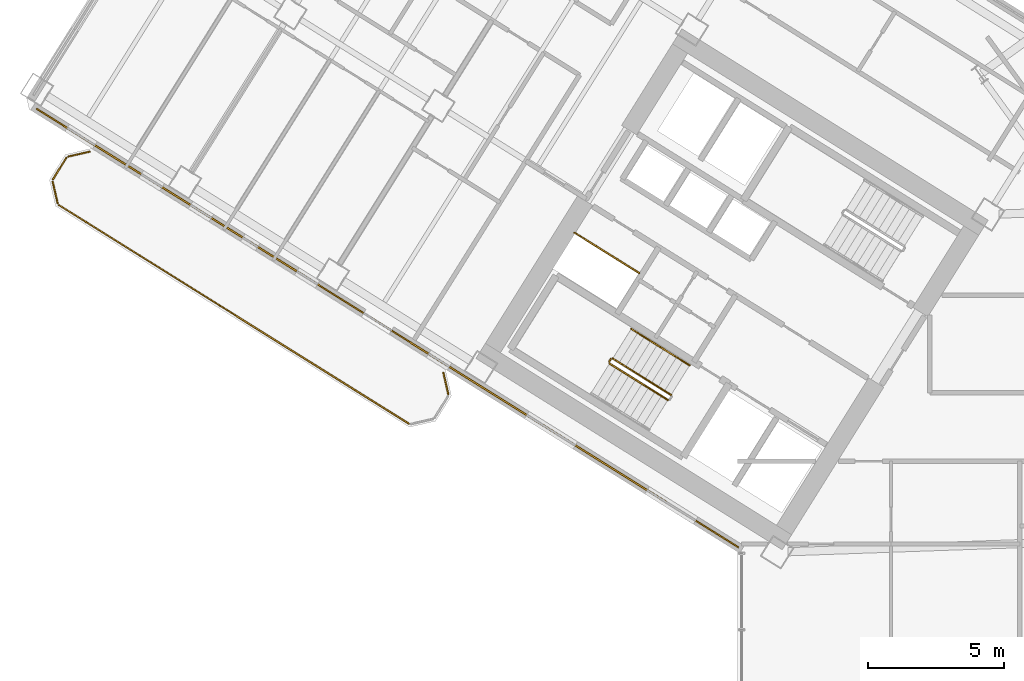
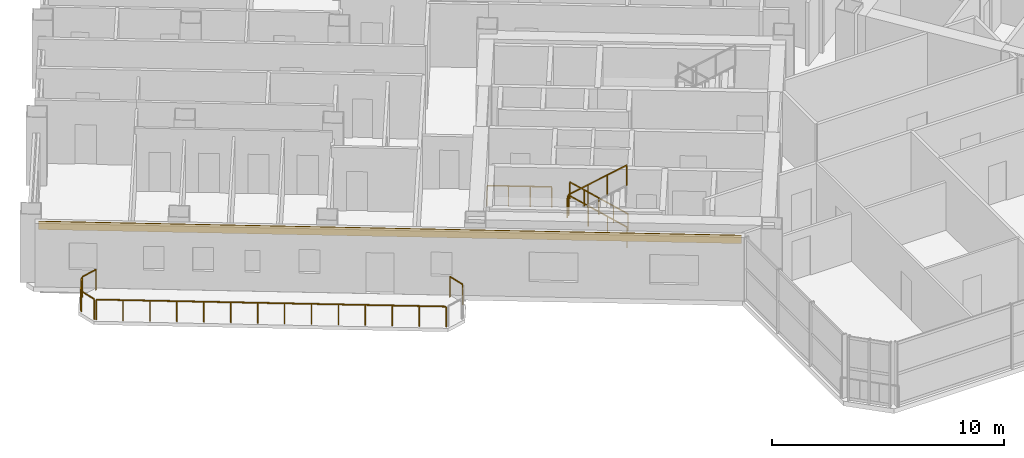
# One storey, part 18 of 21: 11 railings, 1 covering.
"""IFC4 building model written with IfcOpenShell, lengths in metres."""

from ifc_helpers import new_model, si_unit, direction, frame, origin, origin_2d, place, context, subcontext, project, spatial, rectangle, extrude, source, transform, mapped, material, layer, layer_set, type_object, element, save


model = new_model("IFC4")

# Units and contexts
model_context = context("Model", 3, precision=1e-05, world=origin(), true_north=direction((0.0, 1.0)))
body_context = subcontext(model_context, "Body", "Model", "MODEL_VIEW")
ifc_project = project(units=[si_unit("LENGTHUNIT", "METRE"), si_unit("AREAUNIT", "SQUARE_METRE"), si_unit("VOLUMEUNIT", "CUBIC_METRE"), si_unit("PLANEANGLEUNIT", "RADIAN"), si_unit("MASSUNIT", "GRAM", prefix="KILO")], contexts=[model_context])

# Site, building, storey
site_placement = place(None, origin())
site = spatial("IfcSite", under=ifc_project, at=site_placement, CompositionType="ELEMENT")
building_placement = place(site_placement, origin())
building = spatial("IfcBuilding", under=site, at=building_placement, Name="Tlacorven Tower", CompositionType="ELEMENT")
storey_placement = place(building_placement, frame((0.0, 0.0, 90.0)))
storey = spatial("IfcBuildingStorey", under=building, at=storey_placement, Name="L22", CompositionType="ELEMENT", Elevation=90.0)

# Railings
ifc_material_1 = material(Name="Aluminium and painted steel balustrade", Category="steel")
railing_type_1 = type_object("IfcRailingType", Name="RL-GRD-1100", PredefinedType="GUARDRAIL", material=ifc_material_1)
shared_shape_1 = source(origin(), body_context, "Body", "SweptSolid", [
    extrude(rectangle(XDim=0.048095703125, YDim=0.048095703125, at=origin_2d()), frame((0.0, 0.0, 1.076171875), z_axis=(-0.848091358275, 0.529850024081, 0.0), x_axis=(-0.529850024081, -0.848091358275, 0.0)), (0.0, 0.0, 1.0), 2.800048828125),
    extrude(rectangle(XDim=0.0419921875, YDim=0.0419921875, at=origin_2d()), origin(), (0.0, 0.0, 1.0), 1.052001953125),
    extrude(rectangle(XDim=0.0419921875, YDim=0.0419921875, at=origin_2d()), frame((-0.79150390625, 0.49462890625, 0.0)), (0.0, 0.0, 1.0), 1.052001953125),
    extrude(rectangle(XDim=0.0419921875, YDim=0.0419921875, at=origin_2d()), frame((-1.583251953125, 0.989013671875, 0.0)), (0.0, 0.0, 1.0), 1.052001953125),
    extrude(rectangle(XDim=0.0419921875, YDim=0.0419921875, at=origin_2d()), frame((-2.374755859375, 1.483642578125, 0.0)), (0.0, 0.0, 1.0), 1.052001953125),
])
railing_1_placement = place(storey_placement, frame((27.9912109375, 22.32080078125, 0.0)))
element("IfcRailing", 1, at=railing_1_placement, inside=storey, type_object=railing_type_1, Name="L22 Electrical Riser W Shaft Guard 1", PredefinedType="GUARDRAIL", context=body_context, shape_type="MappedRepresentation", body=[
    mapped(shared_shape_1, transform((0.0, 0.0, 0.0), scale=1.0)),
])
railing_type_2 = type_object("IfcRailingType", Name="RL-BAL-1100", PredefinedType="BALUSTRADE", material=ifc_material_1)
shared_shape_2 = source(origin(), body_context, "Body", "SweptSolid", [
    extrude(rectangle(XDim=0.048095703125, YDim=0.048095703125, at=origin_2d()), frame((0.0, 0.0, 1.076171875), z_axis=(0.225058334816, -0.974345290916, 0.0), x_axis=(0.974345290916, 0.225058334816, 0.0)), (0.0, 0.0, 1.0), 0.80712890625),
    extrude(rectangle(XDim=0.0419921875, YDim=0.0419921875, at=origin_2d()), origin(), (0.0, 0.0, 1.0), 1.052001953125),
    extrude(rectangle(XDim=0.0419921875, YDim=0.0419921875, at=origin_2d()), frame((0.181640625, -0.786376953125, 0.0)), (0.0, 0.0, 1.0), 1.052001953125),
])
railing_2_placement = place(storey_placement, frame((20.809814453125, 18.671142578125, 0.0)))
element("IfcRailing", 2, at=railing_2_placement, inside=storey, type_object=railing_type_2, Name="BAL-L22-W-OUT Guard Railing 1", PredefinedType="BALUSTRADE", context=body_context, shape_type="MappedRepresentation", body=[
    mapped(shared_shape_2, transform((0.0, 0.0, 0.0), scale=1.0)),
])
shared_shape_3 = source(origin(), body_context, "Body", "SweptSolid", [
    extrude(rectangle(XDim=0.048095703125, YDim=0.048095703125, at=origin_2d()), frame((0.0, 0.0, 1.076171875), z_axis=(-0.225058334816, 0.974345290916, 0.0), x_axis=(-0.974345290916, -0.225058334816, 0.0)), (0.0, 0.0, 1.0), 0.80712890625),
    extrude(rectangle(XDim=0.0419921875, YDim=0.0419921875, at=origin_2d()), origin(), (0.0, 0.0, 1.0), 1.052001953125),
    extrude(rectangle(XDim=0.0419921875, YDim=0.0419921875, at=origin_2d()), frame((-0.181640625, 0.786376953125, 0.0)), (0.0, 0.0, 1.0), 1.052001953125),
])
railing_3_placement = place(storey_placement, frame((6.66650390625, 24.88623046875, 0.0)))
element("IfcRailing", 3, at=railing_3_placement, inside=storey, type_object=railing_type_2, Name="BAL-L22-W-OUT Guard Railing 5", PredefinedType="BALUSTRADE", context=body_context, shape_type="MappedRepresentation", body=[
    mapped(shared_shape_3, transform((0.0, 0.0, 0.0), scale=1.0)),
])
shared_shape_4 = source(origin(), body_context, "Body", "SweptSolid", [
    extrude(rectangle(XDim=0.048095703125, YDim=0.048095703125, at=origin_2d()), frame((0.0, 0.0, 1.076171875), z_axis=(0.974411586182, 0.224771129628, 0.0), x_axis=(-0.224771129628, 0.974411586182, 0.0)), (0.0, 0.0, 1.0), 0.80712890625),
    extrude(rectangle(XDim=0.0419921875, YDim=0.0419921875, at=origin_2d()), origin(), (0.0, 0.0, 1.0), 1.052001953125),
    extrude(rectangle(XDim=0.0419921875, YDim=0.0419921875, at=origin_2d()), frame((0.786376953125, 0.181396484375, 0.0)), (0.0, 0.0, 1.0), 1.052001953125),
])
railing_4_placement = place(storey_placement, frame((7.05859375, 26.591064453125, 0.0)))
element("IfcRailing", 4, at=railing_4_placement, inside=storey, type_object=railing_type_2, Name="BAL-L22-W-OUT Guard Railing 7", PredefinedType="BALUSTRADE", context=body_context, shape_type="MappedRepresentation", body=[
    mapped(shared_shape_4, transform((0.0, 0.0, 0.0), scale=1.0)),
])
shared_shape_5 = source(origin(), body_context, "Body", "SweptSolid", [
    extrude(rectangle(XDim=0.048095703125, YDim=0.048095703125, at=origin_2d()), frame((0.0, 0.0, 1.076171875), z_axis=(0.529998940003, 0.847998304005, 0.0), x_axis=(-0.847998304005, 0.529998940003, 0.0)), (0.0, 0.0, 1.0), 0.912109375),
    extrude(rectangle(XDim=0.0419921875, YDim=0.0419921875, at=origin_2d()), origin(), (0.0, 0.0, 1.0), 1.052001953125),
    extrude(rectangle(XDim=0.0419921875, YDim=0.0419921875, at=origin_2d()), frame((0.4833984375, 0.7734375, 0.0)), (0.0, 0.0, 1.0), 1.052001953125),
])
railing_5_placement = place(storey_placement, frame((6.5, 25.763916015625, 0.0)))
element("IfcRailing", 5, at=railing_5_placement, inside=storey, type_object=railing_type_2, Name="BAL-L22-W-OUT Guard Railing 6", PredefinedType="BALUSTRADE", context=body_context, shape_type="MappedRepresentation", body=[
    mapped(shared_shape_5, transform((0.0, 0.0, 0.0), scale=1.0)),
])

# Covering
ifc_material_2 = material(Name="Precast concrete C45/55", Category="concrete")
ifc_layer = layer(ifc_material_2, 0.06005859375)
ifc_layer_set = layer_set([ifc_layer], Name="Precast concrete C45/55")
covering_type = type_object("IfcCoveringType", Name="CV-CLD-TERC", PredefinedType="CLADDING", material=ifc_layer_set)
shared_shape_6 = source(origin(), body_context, "Body", "SweptSolid", [
    extrude(rectangle(XDim=30.35205078125, YDim=0.06005859375, at=origin_2d()), origin(), (0.0, 0.0, 1.0), 0.419921875),
])
covering_placement = place(storey_placement, frame((18.7626953125, 20.3046875, 2.929931640625), z_axis=(0.0, 0.0, 1.0), x_axis=(-0.848048152806, 0.529919173576, 0.0)))
element("IfcCovering", 6, at=covering_placement, inside=storey, type_object=covering_type, Name="L22 Masonry-Frame Spandrel Cladding 1", PredefinedType="CLADDING", context=body_context, shape_type="MappedRepresentation", body=[
    mapped(shared_shape_6, transform((0.0, 0.0, 0.0), scale=1.0)),
])

# Railings
shared_shape_7 = source(origin(), body_context, "Body", "SweptSolid", [
    extrude(rectangle(XDim=0.048095703125, YDim=0.048095703125, at=origin_2d()), frame((0.0, 0.0, 1.076171875), z_axis=(-0.848051830527, 0.529913287944, 0.0), x_axis=(-0.529913287944, -0.848051830527, 0.0)), (0.0, 0.0, 1.0), 15.1171875),
    extrude(rectangle(XDim=0.0419921875, YDim=0.0419921875, at=origin_2d()), origin(), (0.0, 0.0, 1.0), 1.052001953125),
    extrude(rectangle(XDim=0.0419921875, YDim=0.0419921875, at=origin_2d()), frame((-0.986083984375, 0.6162109375, 0.0)), (0.0, 0.0, 1.0), 1.052001953125),
    extrude(rectangle(XDim=0.0419921875, YDim=0.0419921875, at=origin_2d()), frame((-1.972412109375, 1.232421875, 0.0)), (0.0, 0.0, 1.0), 1.052001953125),
    extrude(rectangle(XDim=0.0419921875, YDim=0.0419921875, at=origin_2d()), frame((-2.95849609375, 1.8486328125, 0.0)), (0.0, 0.0, 1.0), 1.052001953125),
    extrude(rectangle(XDim=0.0419921875, YDim=0.0419921875, at=origin_2d()), frame((-3.944580078125, 2.46484375, 0.0)), (0.0, 0.0, 1.0), 1.052001953125),
    extrude(rectangle(XDim=0.0419921875, YDim=0.0419921875, at=origin_2d()), frame((-4.930908203125, 3.0810546875, 0.0)), (0.0, 0.0, 1.0), 1.052001953125),
    extrude(rectangle(XDim=0.0419921875, YDim=0.0419921875, at=origin_2d()), frame((-5.9169921875, 3.697265625, 0.0)), (0.0, 0.0, 1.0), 1.052001953125),
    extrude(rectangle(XDim=0.0419921875, YDim=0.0419921875, at=origin_2d()), frame((-6.903076171875, 4.3134765625, 0.0)), (0.0, 0.0, 1.0), 1.052001953125),
    extrude(rectangle(XDim=0.0419921875, YDim=0.0419921875, at=origin_2d()), frame((-7.88916015625, 4.9296875, 0.0)), (0.0, 0.0, 1.0), 1.052001953125),
    extrude(rectangle(XDim=0.0419921875, YDim=0.0419921875, at=origin_2d()), frame((-8.87548828125, 5.5458984375, 0.0)), (0.0, 0.0, 1.0), 1.052001953125),
    extrude(rectangle(XDim=0.0419921875, YDim=0.0419921875, at=origin_2d()), frame((-9.861572265625, 6.162109375, 0.0)), (0.0, 0.0, 1.0), 1.052001953125),
    extrude(rectangle(XDim=0.0419921875, YDim=0.0419921875, at=origin_2d()), frame((-10.84765625, 6.7783203125, 0.0)), (0.0, 0.0, 1.0), 1.052001953125),
    extrude(rectangle(XDim=0.0419921875, YDim=0.0419921875, at=origin_2d()), frame((-11.833984375, 7.39453125, 0.0)), (0.0, 0.0, 1.0), 1.052001953125),
    extrude(rectangle(XDim=0.0419921875, YDim=0.0419921875, at=origin_2d()), frame((-12.820068359375, 8.0107421875, 0.0)), (0.0, 0.0, 1.0), 1.052001953125),
])
railing_6_placement = place(storey_placement, frame((19.5400390625, 16.80029296875, 0.0)))
element("IfcRailing", 7, at=railing_6_placement, inside=storey, type_object=railing_type_2, Name="BAL-L22-W-OUT Guard Railing 4", PredefinedType="BALUSTRADE", context=body_context, shape_type="MappedRepresentation", body=[
    mapped(shared_shape_7, transform((0.0, 0.0, 0.0), scale=1.0)),
])
shared_shape_8 = source(origin(), body_context, "Body", "SweptSolid", [
    extrude(rectangle(XDim=0.048095703125, YDim=0.048095703125, at=origin_2d()), frame((0.0, 0.0, 1.076171875), z_axis=(-0.713319727316, 0.445773895627, 0.540796265334), x_axis=(-0.529955395941, -0.84802551749, 0.0)), (0.0, 0.0, 1.0), 2.995849609375),
    extrude(rectangle(XDim=0.0419921875, YDim=0.0419921875, at=origin_2d()), origin(), (0.0, 0.0, 1.0), 1.052001953125),
    extrude(rectangle(XDim=0.0419921875, YDim=0.0419921875, at=origin_2d()), frame((-0.71240234375, 0.445068359375, 0.5400390625)), (0.0, 0.0, 1.0), 1.052001953125),
    extrude(rectangle(XDim=0.0419921875, YDim=0.0419921875, at=origin_2d()), frame((-1.424560546875, 0.890380859375, 1.080078125)), (0.0, 0.0, 1.0), 1.052001953125),
    extrude(rectangle(XDim=0.0419921875, YDim=0.0419921875, at=origin_2d()), frame((-2.136962890625, 1.33544921875, 1.6201171875)), (0.0, 0.0, 1.0), 1.052001953125),
])
railing_7_placement = place(storey_placement, frame((29.16064453125, 17.851806640625, 0.179931640625)))
element("IfcRailing", 8, at=railing_7_placement, inside=storey, type_object=railing_type_1, Name="L22 ST-W1 stair guard 1", PredefinedType="GUARDRAIL", context=body_context, shape_type="MappedRepresentation", body=[
    mapped(shared_shape_8, transform((0.0, 0.0, 0.0), scale=1.0)),
])
shared_shape_9 = source(origin(), body_context, "Body", "SweptSolid", [
    extrude(rectangle(XDim=0.048095703125, YDim=0.048095703125, at=origin_2d()), frame((0.0, 0.0, 1.076171875), z_axis=(-0.530546985787, -0.847655529016, 0.0), x_axis=(0.847655529016, -0.530546985787, 0.0)), (0.0, 0.0, 1.0), 0.1201171875),
    extrude(rectangle(XDim=0.0419921875, YDim=0.0419921875, at=origin_2d()), origin(), (0.0, 0.0, 1.0), 1.052001953125),
    extrude(rectangle(XDim=0.0419921875, YDim=0.0419921875, at=origin_2d()), frame((-0.063720703125, -0.101806640625, 0.0)), (0.0, 0.0, 1.0), 1.052001953125),
])
railing_8_placement = place(storey_placement, frame((26.954833984375, 19.17138671875, 1.800048828125)))
element("IfcRailing", 9, at=railing_8_placement, inside=storey, type_object=railing_type_1, Name="L22 ST-W1 stair guard 2", PredefinedType="GUARDRAIL", context=body_context, shape_type="MappedRepresentation", body=[
    mapped(shared_shape_9, transform((0.0, 0.0, 0.0), scale=1.0)),
])
shared_shape_10 = source(origin(), body_context, "Body", "SweptSolid", [
    extrude(rectangle(XDim=0.048095703125, YDim=0.048095703125, at=origin_2d()), frame((0.0, 0.0, 1.076171875), z_axis=(0.713359751793, -0.4457479829, 0.540764828981), x_axis=(0.529911857636, 0.848052724267, 0.0)), (0.0, 0.0, 1.0), 2.99609375),
    extrude(rectangle(XDim=0.0419921875, YDim=0.0419921875, at=origin_2d()), origin(), (0.0, 0.0, 1.0), 1.052001953125),
    extrude(rectangle(XDim=0.0419921875, YDim=0.0419921875, at=origin_2d()), frame((0.71240234375, -0.445068359375, 0.5400390625)), (0.0, 0.0, 1.0), 1.052001953125),
    extrude(rectangle(XDim=0.0419921875, YDim=0.0419921875, at=origin_2d()), frame((1.4248046875, -0.890380859375, 1.080078125)), (0.0, 0.0, 1.0), 1.052001953125),
    extrude(rectangle(XDim=0.0419921875, YDim=0.0419921875, at=origin_2d()), frame((2.13720703125, -1.33544921875, 1.6201171875)), (0.0, 0.0, 1.0), 1.052001953125),
])
railing_9_placement = place(storey_placement, frame((26.906982421875, 19.000732421875, 1.97998046875)))
element("IfcRailing", 10, at=railing_9_placement, inside=storey, type_object=railing_type_1, Name="L22 ST-W1 stair guard 3", PredefinedType="GUARDRAIL", context=body_context, shape_type="MappedRepresentation", body=[
    mapped(shared_shape_10, transform((0.0, 0.0, 0.0), scale=1.0)),
])
railing_type_3 = type_object("IfcRailingType", Name="RL-HND-0900", PredefinedType="HANDRAIL", material=ifc_material_1)
shared_shape_11 = source(origin(), body_context, "Body", "SweptSolid", [
    extrude(rectangle(XDim=0.048095703125, YDim=0.048095703125, at=origin_2d()), frame((0.0, 0.0, 0.8759765625), z_axis=(-0.713359751793, 0.4457479829, 0.540764828981), x_axis=(-0.529911857636, -0.848052724267, 0.0)), (0.0, 0.0, 1.0), 1.498046875),
    extrude(rectangle(XDim=0.0419921875, YDim=0.0419921875, at=origin_2d()), origin(), (0.0, 0.0, 1.0), 0.851806640625),
    extrude(rectangle(XDim=0.0419921875, YDim=0.0419921875, at=origin_2d()), frame((-0.5341796875, 0.333984375, 0.405029296875)), (0.0, 0.0, 1.0), 0.851806640625),
    extrude(rectangle(XDim=0.0419921875, YDim=0.0419921875, at=origin_2d()), frame((-1.068603515625, 0.667724609375, 0.81005859375)), (0.0, 0.0, 1.0), 0.851806640625),
])
for number, where, name in (
    (11, (29.839111328125, 18.937255859375, 0.179931640625), "L22 ST-W1 stair handrail 1"),
    (12, (28.7705078125, 19.60498046875, 0.989990234375), "L22 ST-W1 stair handrail 2"),
):
    element("IfcRailing", number, at=place(storey_placement, frame(where)), inside=storey, type_object=railing_type_3, Name=name, PredefinedType="HANDRAIL", context=body_context, shape_type="MappedRepresentation", body=[
        mapped(shared_shape_11, transform((0.0, 0.0, 0.0), scale=1.0)),
    ])

save(model, "model.ifc")
